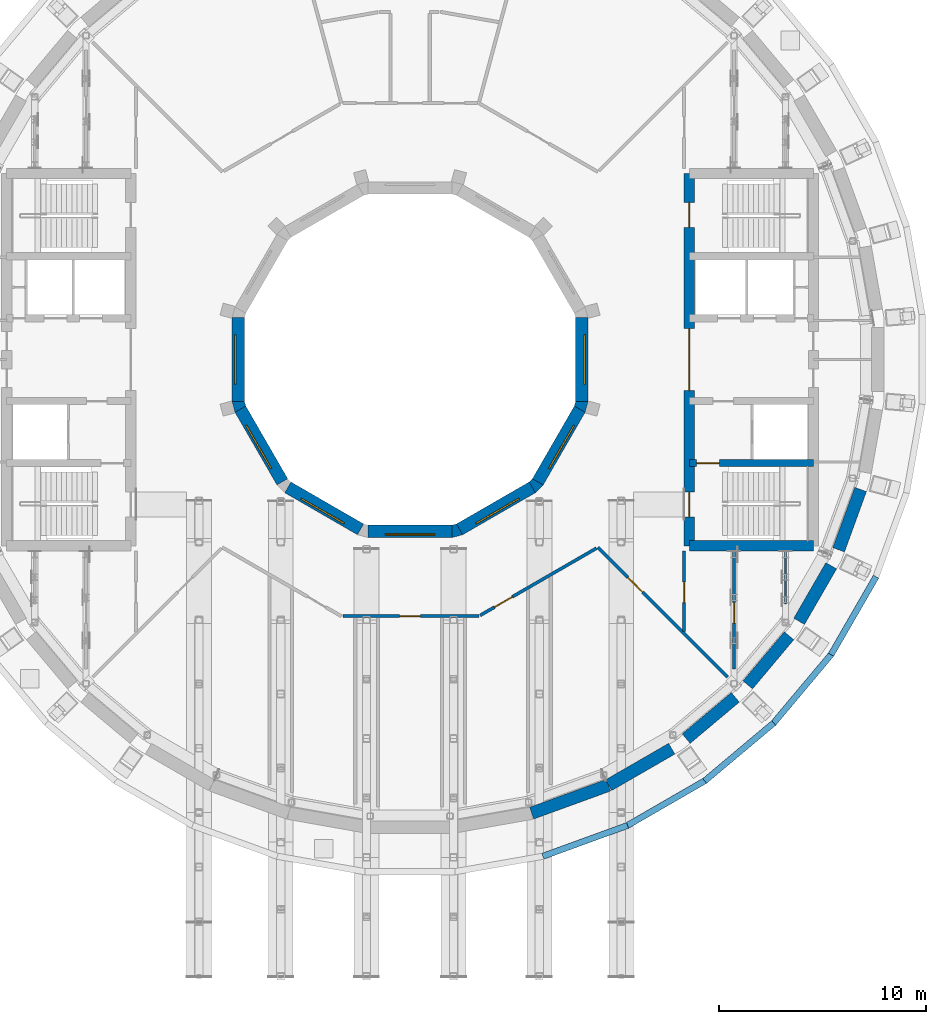
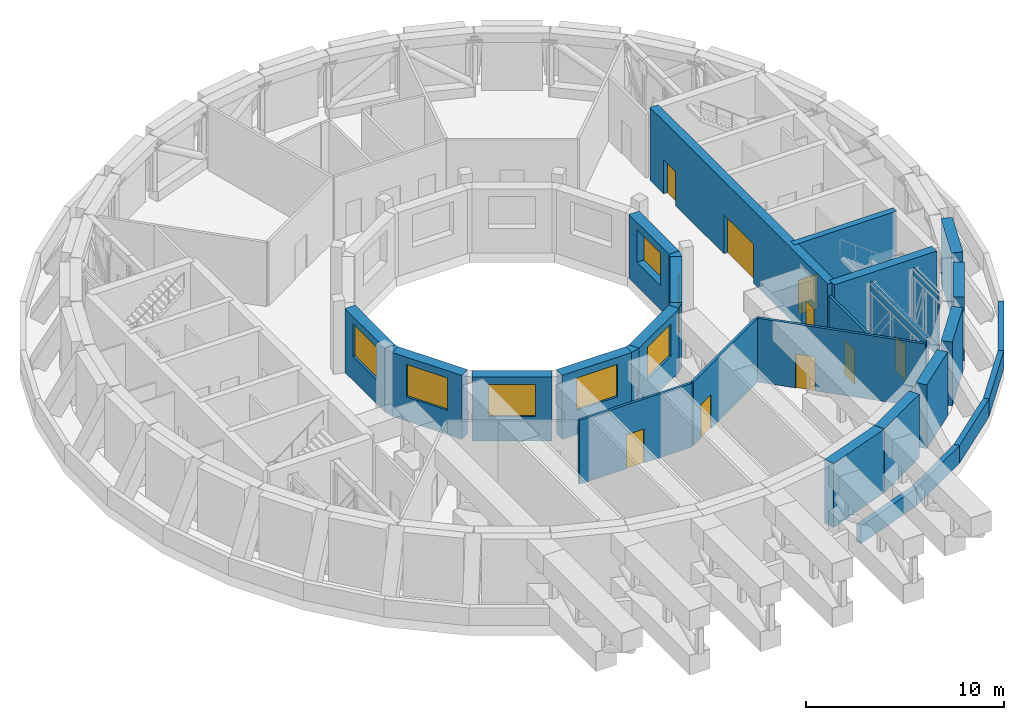
# One storey, part 12 of 20: 31 walls, 9 doors, 7 windows, 16 openings.
"""IFC4 building model written with IfcOpenShell, lengths in metres."""

from ifc_helpers import new_model, si_unit, direction, frame, frame_2d, origin, place, context, subcontext, project, spatial, polyline, rectangle, outline, extrude, material, layer, layer_set, type_object, element, fill, save


model = new_model("IFC4")

# Units and contexts
model_context = context("Model", 3, precision=1e-05, world=origin(), true_north=direction((0.0, 1.0)))
body_context = subcontext(model_context, "Body", "Model", "MODEL_VIEW")
ifc_project = project(units=[si_unit("LENGTHUNIT", "METRE"), si_unit("AREAUNIT", "SQUARE_METRE"), si_unit("VOLUMEUNIT", "CUBIC_METRE"), si_unit("PLANEANGLEUNIT", "RADIAN"), si_unit("MASSUNIT", "GRAM", prefix="KILO")], contexts=[model_context])

# Site, building, storey
site_placement = place(None, origin())
site = spatial("IfcSite", under=ifc_project, at=site_placement, CompositionType="ELEMENT")
building_placement = place(site_placement, origin())
building = spatial("IfcBuilding", under=site, at=building_placement, Name="Saqina Gate Tower", CompositionType="ELEMENT")
storey_placement = place(building_placement, frame((0.0, 0.0, 220.199951171875)))
storey = spatial("IfcBuildingStorey", under=building, at=storey_placement, Name="L63", CompositionType="ELEMENT", Elevation=220.199951171875)

# Walls
ifc_material_1 = material(Name="Brick masonry (buff)", Category="masonry")
ifc_layer_1 = layer(ifc_material_1, 0.60009765625)
ifc_layer_set_1 = layer_set([ifc_layer_1], Name="FW-BRICK-BUFF")
wall_type_1 = type_object("IfcWallType", Name="FW-BRICK-BUFF", PredefinedType="SOLIDWALL", material=ifc_layer_set_1)
wall_1_placement = place(storey_placement, frame((5.87841796875, -21.924072265625, 0.0), z_axis=(0.0, 0.0, 1.0), x_axis=(0.939699526391, 0.342001169736, 0.0)))
element("IfcWall", 1, at=wall_1_placement, inside=storey, type_object=wall_type_1, Name="Facade wall L63 facet 29", PredefinedType="SOLIDWALL", context=body_context, shape_type="SweptSolid", body=[
    extrude(rectangle(XDim=3.948974609375, YDim=0.60009765625, at=frame_2d((1.974609375, 0.0))), origin(), (0.0, 0.0, 1.0), 3.949951171875),
])
wall_2_placement = place(storey_placement, frame((9.59619140625, -20.5703125, 0.0), z_axis=(0.0, 0.0, 1.0), x_axis=(0.86601836006, 0.500012199891, 0.0)))
element("IfcWall", 2, at=wall_2_placement, inside=storey, type_object=wall_type_1, Name="Facade wall L63 facet 30", PredefinedType="SOLIDWALL", context=body_context, shape_type="SweptSolid", body=[
    extrude(rectangle(XDim=3.525390625, YDim=0.60009765625, at=frame_2d((1.7626953125, 0.0))), origin(), (0.0, 0.0, 1.0), 3.949951171875),
])
for number, where, z_axis, x_axis, name in (
    (3, (13.34716796875, -18.31884765625, 0.0), (0.0, 0.0, 1.0), (0.766055239099, 0.642774743319, 0.0), "Facade wall L63 facet 31"),
    (4, (16.325439453125, -15.722900390625, 0.0), (0.0, 0.0, 1.0), (0.642774743319, 0.766055239099, 0.0), "Facade wall L63 facet 32"),
    (5, (18.8076171875, -12.649169921875, 0.0), (0.0, 0.0, 1.0), (0.499974592989, 0.866040072032, 0.0), "Facade wall L63 facet 33"),
):
    element("IfcWall", number, at=place(storey_placement, frame(where, z_axis=z_axis, x_axis=x_axis)), inside=storey, type_object=wall_type_1, Name=name, PredefinedType="SOLIDWALL", context=body_context, shape_type="SweptSolid", body=[
        extrude(rectangle(XDim=3.101318359375, YDim=0.60009765625, at=frame_2d((1.55078125, 0.0))), origin(), (0.0, 0.0, 1.0), 3.949951171875),
    ])
ifc_material_2 = material(Name="Glazed ceramic tile", Category="ceramic")
ifc_layer_2 = layer(ifc_material_2, 0.60009765625)
ifc_layer_set_2 = layer_set([ifc_layer_2], Name="FW-TILE")
wall_type_2 = type_object("IfcWallType", Name="FW-TILE", PredefinedType="SOLIDWALL", material=ifc_layer_set_2)
wall_3_placement = place(storey_placement, frame((20.718505859375, -9.19091796875, 0.0), z_axis=(0.0, 0.0, 1.0), x_axis=(0.341995900855, 0.93970144397, 0.0)))
element("IfcWall", 6, at=wall_3_placement, inside=storey, type_object=wall_type_2, Name="Facade wall L63 facet 34", PredefinedType="SOLIDWALL", context=body_context, shape_type="SweptSolid", body=[
    extrude(rectangle(XDim=3.10107421875, YDim=0.60009765625, at=frame_2d((1.550537109375, 0.0))), origin(), (0.0, 0.0, 1.0), 3.949951171875),
])

# Wall, opening, window
ifc_material_3 = material(Name="Glazed ceramic tile", Category="ceramic")
ifc_layer_3 = layer(ifc_material_3, 0.60009765625)
ifc_layer_set_3 = layer_set([ifc_layer_3], Name="IW-TILE")
wall_type_3 = type_object("IfcWallType", Name="IW-TILE", PredefinedType="SOLIDWALL", material=ifc_layer_set_3)
wall_4_placement = place(storey_placement, frame((-8.300048828125, 2.029296875, 0.0), z_axis=(0.0, 0.0, 1.0), x_axis=(0.0, -1.0, 0.0)))
wall_4 = element("IfcWall", 7, at=wall_4_placement, inside=storey, type_object=wall_type_3, Name="Well wall L63 facet 6", PredefinedType="SOLIDWALL", context=body_context, shape_type="SweptSolid", body=[
    extrude(rectangle(XDim=4.05859375, YDim=0.60009765625, at=frame_2d((2.029296875, 0.0))), origin(), (0.0, 0.0, 1.0), 3.949951171875),
])
opening_1_placement = place(wall_4_placement, frame((0.829345703125, 0.0, 1.5)))
opening_1 = element("IfcOpeningElement", 8, at=opening_1_placement, cuts=wall_4, Name="Opening L63-W06", PredefinedType="OPENING", context=body_context, shape_type="SweptSolid", body=[
    extrude(rectangle(XDim=2.39990234375, YDim=2.0, at=frame_2d((1.199951171875, 1.0))), frame((0.0, 0.31201171875, 0.0), z_axis=(0.0, -1.0, 0.0), x_axis=(1.0, 0.0, 0.0)), (0.0, 0.0, 1.0), 0.6240234375),
])
ifc_material_4 = material(Name="Aluminium glazing", Category="aluminium")
window_type = type_object("IfcWindowType", Name="WN-P", PartitioningType="SINGLE_PANEL", PredefinedType="WINDOW", material=ifc_material_4)
window_1_placement = place(opening_1_placement, origin())
window_1 = element("IfcWindow", 9, at=window_1_placement, inside=storey, type_object=window_type, Name="Well window L63 facet 6", OverallHeight=2.0, OverallWidth=2.39990234375, PartitioningType="SINGLE_PANEL", PredefinedType="WINDOW", context=body_context, shape_type="SweptSolid", body=[
    extrude(rectangle(XDim=2.39990234375, YDim=2.0, at=frame_2d((1.199951171875, 1.0))), frame((0.0, -0.119873046875, 0.0), z_axis=(0.0, -1.0, 0.0), x_axis=(1.0, 0.0, 0.0)), (0.0, 0.0, 1.0), 0.06005859375),
])
fill(opening_1, window_1)

wall_5_placement = place(storey_placement, frame((-8.20263671875, -2.392578125, 0.0), z_axis=(0.0, 0.0, 1.0), x_axis=(0.499994954979, -0.866028316509, 0.0)))
wall_5 = element("IfcWall", 10, at=wall_5_placement, inside=storey, type_object=wall_type_3, Name="Well wall L63 facet 7", PredefinedType="SOLIDWALL", context=body_context, shape_type="SweptSolid", body=[
    extrude(rectangle(XDim=4.05859375, YDim=0.60009765625, at=frame_2d((2.029296875, 0.0))), origin(), (0.0, 0.0, 1.0), 3.949951171875),
])
opening_2_placement = place(wall_5_placement, frame((0.829345703125, 0.0, 1.5)))
opening_2 = element("IfcOpeningElement", 11, at=opening_2_placement, cuts=wall_5, Name="Opening L63-W07", PredefinedType="OPENING", context=body_context, shape_type="SweptSolid", body=[
    extrude(rectangle(XDim=2.39990234375, YDim=2.0, at=frame_2d((1.199951171875, 1.0))), frame((0.0, 0.31201171875, 0.0), z_axis=(0.0, -1.0, 0.0), x_axis=(1.0, 0.0, 0.0)), (0.0, 0.0, 1.0), 0.6240234375),
])
window_2_placement = place(opening_2_placement, origin())
window_2 = element("IfcWindow", 12, at=window_2_placement, inside=storey, type_object=window_type, Name="Well window L63 facet 7", OverallHeight=2.0, OverallWidth=2.39990234375, PartitioningType="SINGLE_PANEL", PredefinedType="WINDOW", context=body_context, shape_type="SweptSolid", body=[
    extrude(rectangle(XDim=2.39990234375, YDim=2.0, at=frame_2d((1.199951171875, 1.0))), frame((0.0, -0.119873046875, 0.0), z_axis=(0.0, -1.0, 0.0), x_axis=(1.0, 0.0, 0.0)), (0.0, 0.0, 1.0), 0.06005859375),
])
fill(opening_2, window_2)

wall_6_placement = place(storey_placement, frame((-5.907470703125, -6.17333984375, 0.0), z_axis=(0.0, 0.0, 1.0), x_axis=(0.866028316509, -0.499994954979, 0.0)))
wall_6 = element("IfcWall", 13, at=wall_6_placement, inside=storey, type_object=wall_type_3, Name="Well wall L63 facet 8", PredefinedType="SOLIDWALL", context=body_context, shape_type="SweptSolid", body=[
    extrude(rectangle(XDim=4.05859375, YDim=0.60009765625, at=frame_2d((2.029296875, 0.0))), origin(), (0.0, 0.0, 1.0), 3.949951171875),
])
opening_3_placement = place(wall_6_placement, frame((0.829345703125, 0.0, 1.5)))
opening_3 = element("IfcOpeningElement", 14, at=opening_3_placement, cuts=wall_6, Name="Opening L63-W08", PredefinedType="OPENING", context=body_context, shape_type="SweptSolid", body=[
    extrude(rectangle(XDim=2.39990234375, YDim=2.0, at=frame_2d((1.199951171875, 1.0))), frame((0.0, 0.31201171875, 0.0), z_axis=(0.0, -1.0, 0.0), x_axis=(1.0, 0.0, 0.0)), (0.0, 0.0, 1.0), 0.6240234375),
])
window_3_placement = place(opening_3_placement, origin())
window_3 = element("IfcWindow", 15, at=window_3_placement, inside=storey, type_object=window_type, Name="Well window L63 facet 8", OverallHeight=2.0, OverallWidth=2.39990234375, PartitioningType="SINGLE_PANEL", PredefinedType="WINDOW", context=body_context, shape_type="SweptSolid", body=[
    extrude(rectangle(XDim=2.39990234375, YDim=2.0, at=frame_2d((1.199951171875, 1.0))), frame((0.0, -0.119873046875, 0.0), z_axis=(0.0, -1.0, 0.0), x_axis=(1.0, 0.0, 0.0)), (0.0, 0.0, 1.0), 0.06005859375),
])
fill(opening_3, window_3)

wall_7_placement = place(storey_placement, frame((-2.029296875, -8.300048828125, 0.0), z_axis=(0.0, 0.0, 1.0), x_axis=(1.0, 0.0, 0.0)))
wall_7 = element("IfcWall", 16, at=wall_7_placement, inside=storey, type_object=wall_type_3, Name="Well wall L63 facet 9", PredefinedType="SOLIDWALL", context=body_context, shape_type="SweptSolid", body=[
    extrude(rectangle(XDim=4.05859375, YDim=0.60009765625, at=frame_2d((2.029296875, 0.0))), origin(), (0.0, 0.0, 1.0), 3.949951171875),
])
opening_4_placement = place(wall_7_placement, frame((0.829345703125, 0.0, 1.5)))
opening_4 = element("IfcOpeningElement", 17, at=opening_4_placement, cuts=wall_7, Name="Opening L63-W09", PredefinedType="OPENING", context=body_context, shape_type="SweptSolid", body=[
    extrude(rectangle(XDim=2.39990234375, YDim=2.0, at=frame_2d((1.199951171875, 1.0))), frame((0.0, 0.31201171875, 0.0), z_axis=(0.0, -1.0, 0.0), x_axis=(1.0, 0.0, 0.0)), (0.0, 0.0, 1.0), 0.6240234375),
])
window_4_placement = place(opening_4_placement, origin())
window_4 = element("IfcWindow", 18, at=window_4_placement, inside=storey, type_object=window_type, Name="Well window L63 facet 9", OverallHeight=2.0, OverallWidth=2.39990234375, PartitioningType="SINGLE_PANEL", PredefinedType="WINDOW", context=body_context, shape_type="SweptSolid", body=[
    extrude(rectangle(XDim=2.39990234375, YDim=2.0, at=frame_2d((1.199951171875, 1.0))), frame((0.0, -0.119873046875, 0.0), z_axis=(0.0, -1.0, 0.0), x_axis=(1.0, 0.0, 0.0)), (0.0, 0.0, 1.0), 0.06005859375),
])
fill(opening_4, window_4)

wall_8_placement = place(storey_placement, frame((2.392578125, -8.20263671875, 0.0), z_axis=(0.0, 0.0, 1.0), x_axis=(0.866028316509, 0.499994954979, 0.0)))
wall_8 = element("IfcWall", 19, at=wall_8_placement, inside=storey, type_object=wall_type_3, Name="Well wall L63 facet 10", PredefinedType="SOLIDWALL", context=body_context, shape_type="SweptSolid", body=[
    extrude(rectangle(XDim=4.05859375, YDim=0.60009765625, at=frame_2d((2.029296875, 0.0))), origin(), (0.0, 0.0, 1.0), 3.949951171875),
])
opening_5_placement = place(wall_8_placement, frame((0.829345703125, 0.0, 1.5)))
opening_5 = element("IfcOpeningElement", 20, at=opening_5_placement, cuts=wall_8, Name="Opening L63-W10", PredefinedType="OPENING", context=body_context, shape_type="SweptSolid", body=[
    extrude(rectangle(XDim=2.39990234375, YDim=2.0, at=frame_2d((1.199951171875, 1.0))), frame((0.0, 0.31201171875, 0.0), z_axis=(0.0, -1.0, 0.0), x_axis=(1.0, 0.0, 0.0)), (0.0, 0.0, 1.0), 0.6240234375),
])
window_5_placement = place(opening_5_placement, origin())
window_5 = element("IfcWindow", 21, at=window_5_placement, inside=storey, type_object=window_type, Name="Well window L63 facet 10", OverallHeight=2.0, OverallWidth=2.39990234375, PartitioningType="SINGLE_PANEL", PredefinedType="WINDOW", context=body_context, shape_type="SweptSolid", body=[
    extrude(rectangle(XDim=2.39990234375, YDim=2.0, at=frame_2d((1.199951171875, 1.0))), frame((0.0, -0.119873046875, 0.0), z_axis=(0.0, -1.0, 0.0), x_axis=(1.0, 0.0, 0.0)), (0.0, 0.0, 1.0), 0.06005859375),
])
fill(opening_5, window_5)

wall_9_placement = place(storey_placement, frame((6.17333984375, -5.907470703125, 0.0), z_axis=(0.0, 0.0, 1.0), x_axis=(0.499994954979, 0.866028316509, 0.0)))
wall_9 = element("IfcWall", 22, at=wall_9_placement, inside=storey, type_object=wall_type_3, Name="Well wall L63 facet 11", PredefinedType="SOLIDWALL", context=body_context, shape_type="SweptSolid", body=[
    extrude(rectangle(XDim=4.05859375, YDim=0.60009765625, at=frame_2d((2.029296875, 0.0))), origin(), (0.0, 0.0, 1.0), 3.949951171875),
])
opening_6_placement = place(wall_9_placement, frame((0.829345703125, 0.0, 1.5)))
opening_6 = element("IfcOpeningElement", 23, at=opening_6_placement, cuts=wall_9, Name="Opening L63-W11", PredefinedType="OPENING", context=body_context, shape_type="SweptSolid", body=[
    extrude(rectangle(XDim=2.39990234375, YDim=2.0, at=frame_2d((1.199951171875, 1.0))), frame((0.0, 0.31201171875, 0.0), z_axis=(0.0, -1.0, 0.0), x_axis=(1.0, 0.0, 0.0)), (0.0, 0.0, 1.0), 0.6240234375),
])
window_6_placement = place(opening_6_placement, origin())
window_6 = element("IfcWindow", 24, at=window_6_placement, inside=storey, type_object=window_type, Name="Well window L63 facet 11", OverallHeight=2.0, OverallWidth=2.39990234375, PartitioningType="SINGLE_PANEL", PredefinedType="WINDOW", context=body_context, shape_type="SweptSolid", body=[
    extrude(rectangle(XDim=2.39990234375, YDim=2.0, at=frame_2d((1.199951171875, 1.0))), frame((0.0, -0.119873046875, 0.0), z_axis=(0.0, -1.0, 0.0), x_axis=(1.0, 0.0, 0.0)), (0.0, 0.0, 1.0), 0.06005859375),
])
fill(opening_6, window_6)

wall_10_placement = place(storey_placement, frame((8.300048828125, -2.029296875, 0.0), z_axis=(0.0, 0.0, 1.0), x_axis=(0.0, 1.0, 0.0)))
wall_10 = element("IfcWall", 25, at=wall_10_placement, inside=storey, type_object=wall_type_3, Name="Well wall L63 facet 12", PredefinedType="SOLIDWALL", context=body_context, shape_type="SweptSolid", body=[
    extrude(rectangle(XDim=4.05859375, YDim=0.60009765625, at=frame_2d((2.029296875, 0.0))), origin(), (0.0, 0.0, 1.0), 3.949951171875),
])
opening_7_placement = place(wall_10_placement, frame((0.829345703125, 0.0, 1.5)))
opening_7 = element("IfcOpeningElement", 26, at=opening_7_placement, cuts=wall_10, Name="Opening L63-W12", PredefinedType="OPENING", context=body_context, shape_type="SweptSolid", body=[
    extrude(rectangle(XDim=2.39990234375, YDim=2.0, at=frame_2d((1.199951171875, 1.0))), frame((0.0, 0.31201171875, 0.0), z_axis=(0.0, -1.0, 0.0), x_axis=(1.0, 0.0, 0.0)), (0.0, 0.0, 1.0), 0.6240234375),
])
window_7_placement = place(opening_7_placement, origin())
window_7 = element("IfcWindow", 27, at=window_7_placement, inside=storey, type_object=window_type, Name="Well window L63 facet 12", OverallHeight=2.0, OverallWidth=2.39990234375, PartitioningType="SINGLE_PANEL", PredefinedType="WINDOW", context=body_context, shape_type="SweptSolid", body=[
    extrude(rectangle(XDim=2.39990234375, YDim=2.0, at=frame_2d((1.199951171875, 1.0))), frame((0.0, -0.119873046875, 0.0), z_axis=(0.0, -1.0, 0.0), x_axis=(1.0, 0.0, 0.0)), (0.0, 0.0, 1.0), 0.06005859375),
])
fill(opening_7, window_7)

# Walls
ifc_material_5 = material(Name="Brick masonry (buff)", Category="masonry")
ifc_layer_4 = layer(ifc_material_5, 0.300048828125)
ifc_layer_set_4 = layer_set([ifc_layer_4], Name="PA-ROOF")
wall_type_4 = type_object("IfcWallType", Name="PA-ROOF", PredefinedType="PARAPET", material=ifc_layer_set_4)
wall_11_placement = place(storey_placement, frame((6.419189453125, -24.007080078125, 0.0), z_axis=(0.0, 0.0, 1.0), x_axis=(0.93969032934, 0.342026438957, 0.0)))
element("IfcWall", 28, at=wall_11_placement, inside=storey, type_object=wall_type_4, Name="Parapet L63 edge 29", PredefinedType="PARAPET", context=body_context, shape_type="SweptSolid", body=[
    extrude(rectangle(XDim=4.357666015625, YDim=0.300048828125, at=frame_2d((2.1787109375, 0.0))), origin(), (0.0, 0.0, 1.0), 1.10009765625),
])
for number, where, z_axis, x_axis, name in (
    (29, (10.490478515625, -22.52783203125, 0.0), (0.0, 0.0, 1.0), (0.866017651966, 0.500013426303, 0.0), "Parapet L63 edge 30"),
    (30, (14.242919921875, -20.364013671875, 0.0), (0.0, 0.0, 1.0), (0.76604025998, 0.642792594925, 0.0), "Parapet L63 edge 31"),
    (31, (17.562744140625, -17.581298828125, 0.0), (0.0, 0.0, 1.0), (0.642792594925, 0.76604025998, 0.0), "Parapet L63 edge 32"),
    (32, (20.348876953125, -14.264404296875, 0.0), (0.0, 0.0, 1.0), (0.500013426303, 0.866017651966, 0.0), "Parapet L63 edge 33"),
):
    element("IfcWall", number, at=place(storey_placement, frame(where, z_axis=z_axis, x_axis=x_axis)), inside=storey, type_object=wall_type_4, Name=name, PredefinedType="PARAPET", context=body_context, shape_type="SweptSolid", body=[
        extrude(rectangle(XDim=4.35791015625, YDim=0.300048828125, at=frame_2d((2.178955078125, 0.0))), origin(), (0.0, 0.0, 1.0), 1.10009765625),
    ])
ifc_material_6 = material(Name="Gypsum board on steel studs, 100 mm", Category="steel")
ifc_layer_5 = layer(ifc_material_6, 0.10009765625)
ifc_layer_set_5 = layer_set([ifc_layer_5], Name="SPECIAL PARTITION 100")
wall_type_5 = type_object("IfcWallType", Name="SPECIAL PARTITION 100", PredefinedType="PARTITIONING", material=ifc_layer_set_5)
wall_12_placement = place(storey_placement, frame((18.14404296875, -11.80908203125, 0.0), z_axis=(0.0, 0.0, 1.0), x_axis=(0.0, 1.0, 0.0)))
element("IfcWall", 33, at=wall_12_placement, inside=storey, type_object=wall_type_5, Name="PARTITION 017", PredefinedType="PARTITIONING", context=body_context, shape_type="SweptSolid", body=[
    extrude(rectangle(XDim=2.55908203125, YDim=0.10009765625, at=frame_2d((1.279541015625, 0.0))), origin(), (0.0, 0.0, 1.0), 3.949951171875),
])

# Wall, opening, door
ifc_material_7 = material(Name="Masonry block and plaster, 150 mm, fire rated", Category="masonry")
ifc_layer_6 = layer(ifc_material_7, 0.14990234375)
ifc_layer_set_6 = layer_set([ifc_layer_6], Name="SPECIAL PARTITION EI 60 150")
wall_type_6 = type_object("IfcWallType", Name="SPECIAL PARTITION EI 60 150", PredefinedType="PARTITIONING", material=ifc_layer_set_6)
wall_13_placement = place(storey_placement, frame((9.076904296875, -9.076904296875, 0.0), z_axis=(0.0, 0.0, 1.0), x_axis=(0.707106781187, -0.707106781187, 0.0)))
wall_13 = element("IfcWall", 34, at=wall_13_placement, inside=storey, type_object=wall_type_6, Name="PARTITION 003", PredefinedType="PARTITIONING", context=body_context, shape_type="SweptSolid", body=[
    extrude(rectangle(XDim=8.863037109375, YDim=0.14990234375, at=frame_2d((4.431640625, 0.0))), origin(), (0.0, 0.0, 1.0), 3.949951171875),
])
opening_8_placement = place(wall_13_placement, frame((2.052978515625, 0.0, 0.0)))
opening_8 = element("IfcOpeningElement", 35, at=opening_8_placement, cuts=wall_13, Name="Opening L63-D16", PredefinedType="OPENING", context=body_context, shape_type="SweptSolid", body=[
    extrude(rectangle(XDim=1.0, YDim=2.10009765625, at=frame_2d((0.5, 1.050048828125))), frame((0.0, 0.0869140625, 0.0), z_axis=(0.0, -1.0, 0.0), x_axis=(1.0, 0.0, 0.0)), (0.0, 0.0, 1.0), 0.173828125),
])
ifc_material_8 = material(Name="Steel-framed fire door leaf, EI 60", Category="steel")
door_type_1 = type_object("IfcDoorType", Name="SPECIAL DOOR 1000 FIRE EI 60", OperationType="SINGLE_SWING_LEFT", PredefinedType="DOOR", material=ifc_material_8)
door_1_placement = place(opening_8_placement, frame((1.0, 0.0, 0.0), z_axis=(0.0, 0.0, 1.0), x_axis=(-1.0, 0.0, 0.0)))
door_1 = element("IfcDoor", 36, at=door_1_placement, inside=storey, type_object=door_type_1, Name="DOOR L63-D16", OperationType="SINGLE_SWING_RIGHT", OverallHeight=2.10009765625, OverallWidth=1.0, PredefinedType="DOOR", context=body_context, shape_type="SweptSolid", body=[
    extrude(rectangle(XDim=1.0, YDim=2.10009765625, at=frame_2d((0.5, 1.050048828125))), frame((0.0, 0.02490234375, 0.0), z_axis=(0.0, -1.0, 0.0), x_axis=(1.0, 0.0, 0.0)), (0.0, 0.0, 1.0), 0.050048828125),
])
fill(opening_8, door_1)

wall_14_placement = place(storey_placement, frame((-3.248046875, -12.39990234375, 0.0), z_axis=(0.0, 0.0, 1.0), x_axis=(1.0, 0.0, 0.0)))
wall_14 = element("IfcWall", 37, at=wall_14_placement, inside=storey, type_object=wall_type_6, Name="PARTITION 007", PredefinedType="PARTITIONING", context=body_context, shape_type="SweptSolid", body=[
    extrude(rectangle(XDim=6.571044921875, YDim=0.14990234375, at=frame_2d((3.28564453125, 0.0))), origin(), (0.0, 0.0, 1.0), 3.949951171875),
])
opening_9_placement = place(wall_14_placement, frame((2.748046875, 0.0, 0.0)))
opening_9 = element("IfcOpeningElement", 38, at=opening_9_placement, cuts=wall_14, Name="Opening L63-D14", PredefinedType="OPENING", context=body_context, shape_type="SweptSolid", body=[
    extrude(rectangle(XDim=1.0, YDim=2.10009765625, at=frame_2d((0.5, 1.050048828125))), frame((0.0, 0.0869140625, 0.0), z_axis=(0.0, -1.0, 0.0), x_axis=(1.0, 0.0, 0.0)), (0.0, 0.0, 1.0), 0.173828125),
])
door_2_placement = place(opening_9_placement, frame((1.0, 0.0, 0.0), z_axis=(0.0, 0.0, 1.0), x_axis=(-1.0, 0.0, 0.0)))
door_2 = element("IfcDoor", 39, at=door_2_placement, inside=storey, type_object=door_type_1, Name="DOOR L63-D14", OperationType="SINGLE_SWING_RIGHT", OverallHeight=2.10009765625, OverallWidth=1.0, PredefinedType="DOOR", context=body_context, shape_type="SweptSolid", body=[
    extrude(rectangle(XDim=1.0, YDim=2.10009765625, at=frame_2d((0.5, 1.050048828125))), frame((0.0, 0.02490234375, 0.0), z_axis=(0.0, -1.0, 0.0), x_axis=(1.0, 0.0, 0.0)), (0.0, 0.0, 1.0), 0.050048828125),
])
fill(opening_9, door_2)

wall_15_placement = place(storey_placement, frame((3.387939453125, -12.362548828125, 0.0), z_axis=(0.0, 0.0, 1.0), x_axis=(0.865967095912, 0.5001009786, 0.0)))
wall_15 = element("IfcWall", 40, at=wall_15_placement, inside=storey, type_object=wall_type_6, Name="PARTITION 012", PredefinedType="PARTITIONING", context=body_context, shape_type="SweptSolid", body=[
    extrude(rectangle(XDim=6.494873046875, YDim=0.14990234375, at=frame_2d((3.24755859375, 0.0))), origin(), (0.0, 0.0, 1.0), 3.949951171875),
])
opening_10_placement = place(wall_15_placement, frame((0.797607421875, 0.0, 0.0)))
opening_10 = element("IfcOpeningElement", 41, at=opening_10_placement, cuts=wall_15, Name="Opening L63-D15", PredefinedType="OPENING", context=body_context, shape_type="SweptSolid", body=[
    extrude(rectangle(XDim=1.0, YDim=2.10009765625, at=frame_2d((0.5, 1.050048828125))), frame((0.0, 0.0869140625, 0.0), z_axis=(0.0, -1.0, 0.0), x_axis=(1.0, 0.0, 0.0)), (0.0, 0.0, 1.0), 0.173828125),
])
door_3_placement = place(opening_10_placement, frame((1.0, 0.0, 0.0), z_axis=(0.0, 0.0, 1.0), x_axis=(-1.0, 0.0, 0.0)))
door_3 = element("IfcDoor", 42, at=door_3_placement, inside=storey, type_object=door_type_1, Name="DOOR L63-D15", OperationType="SINGLE_SWING_LEFT", OverallHeight=2.10009765625, OverallWidth=1.0, PredefinedType="DOOR", context=body_context, shape_type="SweptSolid", body=[
    extrude(rectangle(XDim=1.0, YDim=2.10009765625, at=frame_2d((0.5, 1.050048828125))), frame((0.0, 0.02490234375, 0.0), z_axis=(0.0, -1.0, 0.0), x_axis=(1.0, 0.0, 0.0)), (0.0, 0.0, 1.0), 0.050048828125),
])
fill(opening_10, door_3)

wall_16_placement = place(storey_placement, frame((15.662109375, -14.965087890625, 0.0), z_axis=(0.0, 0.0, 1.0), x_axis=(0.0, 1.0, 0.0)))
wall_16 = element("IfcWall", 43, at=wall_16_placement, inside=storey, type_object=wall_type_6, Name="PARTITION 019", PredefinedType="PARTITIONING", context=body_context, shape_type="SweptSolid", body=[
    extrude(rectangle(XDim=5.715087890625, YDim=0.14990234375, at=frame_2d((2.857421875, 0.0))), origin(), (0.0, 0.0, 1.0), 3.949951171875),
])
opening_11_placement = place(wall_16_placement, frame((2.22509765625, 0.0, 0.0)))
opening_11 = element("IfcOpeningElement", 44, at=opening_11_placement, cuts=wall_16, Name="Opening L63-D18", PredefinedType="OPENING", context=body_context, shape_type="SweptSolid", body=[
    extrude(rectangle(XDim=1.0, YDim=2.10009765625, at=frame_2d((0.5, 1.050048828125))), frame((0.0, 0.0869140625, 0.0), z_axis=(0.0, -1.0, 0.0), x_axis=(1.0, 0.0, 0.0)), (0.0, 0.0, 1.0), 0.173828125),
])
door_4_placement = place(opening_11_placement, origin())
door_4 = element("IfcDoor", 45, at=door_4_placement, inside=storey, type_object=door_type_1, Name="DOOR L63-D18", OperationType="SINGLE_SWING_LEFT", OverallHeight=2.10009765625, OverallWidth=1.0, PredefinedType="DOOR", context=body_context, shape_type="SweptSolid", body=[
    extrude(rectangle(XDim=1.0, YDim=2.10009765625, at=frame_2d((0.5, 1.050048828125))), frame((0.0, 0.02490234375, 0.0), z_axis=(0.0, -1.0, 0.0), x_axis=(1.0, 0.0, 0.0)), (0.0, 0.0, 1.0), 0.050048828125),
])
fill(opening_11, door_4)

wall_17_placement = place(storey_placement, frame((13.25, -13.14501953125, 0.0), z_axis=(0.0, 0.0, 1.0), x_axis=(0.0, 1.0, 0.0)))
wall_17 = element("IfcWall", 46, at=wall_17_placement, inside=storey, type_object=wall_type_6, Name="PARTITION 021", PredefinedType="PARTITIONING", context=body_context, shape_type="SweptSolid", body=[
    extrude(rectangle(XDim=3.89501953125, YDim=0.14990234375, at=frame_2d((1.947509765625, 0.0))), origin(), (0.0, 0.0, 1.0), 3.949951171875),
])
opening_12_placement = place(wall_17_placement, frame((1.39501953125, 0.0, 0.0)))
opening_12 = element("IfcOpeningElement", 47, at=opening_12_placement, cuts=wall_17, Name="Opening L63-D17", PredefinedType="OPENING", context=body_context, shape_type="SweptSolid", body=[
    extrude(rectangle(XDim=1.0, YDim=2.10009765625, at=frame_2d((0.5, 1.050048828125))), frame((0.0, 0.0869140625, 0.0), z_axis=(0.0, -1.0, 0.0), x_axis=(1.0, 0.0, 0.0)), (0.0, 0.0, 1.0), 0.173828125),
])
door_5_placement = place(opening_12_placement, frame((1.0, 0.0, 0.0), z_axis=(0.0, 0.0, 1.0), x_axis=(-1.0, 0.0, 0.0)))
door_5 = element("IfcDoor", 48, at=door_5_placement, inside=storey, type_object=door_type_1, Name="DOOR L63-D17", OperationType="SINGLE_SWING_RIGHT", OverallHeight=2.10009765625, OverallWidth=1.0, PredefinedType="DOOR", context=body_context, shape_type="SweptSolid", body=[
    extrude(rectangle(XDim=1.0, YDim=2.10009765625, at=frame_2d((0.5, 1.050048828125))), frame((0.0, 0.02490234375, 0.0), z_axis=(0.0, -1.0, 0.0), x_axis=(1.0, 0.0, 0.0)), (0.0, 0.0, 1.0), 0.050048828125),
])
fill(opening_12, door_5)

ifc_material_9 = material(Name="Concrete C60/75", Category="concrete")
ifc_layer_7 = layer(ifc_material_9, 0.35009765625)
ifc_layer_set_7 = layer_set([ifc_layer_7], Name="Concrete C60/75")
wall_type_7 = type_object("IfcWallType", Name="STR-CORE WALL-D-I", PredefinedType="SHEAR", material=ifc_layer_set_7)
wall_18_placement = place(storey_placement, frame((13.5, -5.0, 0.0), z_axis=(0.0, 0.0, 1.0), x_axis=(1.0, 0.0, 0.0)))
wall_18 = element("IfcWall", 49, at=wall_18_placement, inside=storey, type_object=wall_type_7, Name="CORE WALL L63 E-X2", PredefinedType="SHEAR", context=body_context, shape_type="SweptSolid", body=[
    extrude(rectangle(XDim=6.0, YDim=0.35009765625, at=frame_2d((3.0, 0.0))), origin(), (0.0, 0.0, 1.0), 4.5),
])
opening_13_placement = place(wall_18_placement, frame((0.35009765625, 0.0, 0.0)))
opening_13 = element("IfcOpeningElement", 50, at=opening_13_placement, cuts=wall_18, Name="Opening L63-D96", PredefinedType="OPENING", context=body_context, shape_type="SweptSolid", body=[
    extrude(rectangle(XDim=1.10009765625, YDim=2.10009765625, at=frame_2d((0.550048828125, 1.050048828125))), frame((0.0, 0.18701171875, 0.0), z_axis=(0.0, -1.0, 0.0), x_axis=(1.0, 0.0, 0.0)), (0.0, 0.0, 1.0), 0.3740234375),
])
ifc_material_10 = material(Name="Steel", Category="steel")
door_type_2 = type_object("IfcDoorType", Name="FIRE LOBBY DOOR EI 60 WIDE", OperationType="SINGLE_SWING_LEFT", PredefinedType="DOOR", material=ifc_material_10)
door_6_placement = place(opening_13_placement, frame((1.10009765625, 0.0, 0.0), z_axis=(0.0, 0.0, 1.0), x_axis=(-1.0, 0.0, 0.0)))
door_6 = element("IfcDoor", 51, at=door_6_placement, inside=storey, type_object=door_type_2, Name="L63-CD-E07", OperationType="SINGLE_SWING_RIGHT", OverallHeight=2.10009765625, OverallWidth=1.10009765625, PredefinedType="DOOR", context=body_context, shape_type="SweptSolid", body=[
    extrude(rectangle(XDim=1.10009765625, YDim=2.10009765625, at=frame_2d((0.550048828125, 1.050048828125))), frame((0.0, 0.02490234375, 0.0), z_axis=(0.0, -1.0, 0.0), x_axis=(1.0, 0.0, 0.0)), (0.0, 0.0, 1.0), 0.050048828125),
])
fill(opening_13, door_6)

# Wall, openings, doors
ifc_material_11 = material(Name="Concrete C60/75", Category="concrete")
ifc_layer_8 = layer(ifc_material_11, 0.5)
ifc_layer_set_8 = layer_set([ifc_layer_8], Name="Concrete C60/75")
wall_type_8 = type_object("IfcWallType", Name="STR-CORE WALL-D-O", PredefinedType="SHEAR", material=ifc_layer_set_8)
wall_19_placement = place(storey_placement, frame((13.5, -9.0, 0.0), z_axis=(0.0, 0.0, 1.0), x_axis=(0.0, 1.0, 0.0)))
wall_19 = element("IfcWall", 52, at=wall_19_placement, inside=storey, type_object=wall_type_8, Name="CORE WALL L63 E-W1", PredefinedType="SHEAR", context=body_context, shape_type="SweptSolid", body=[
    extrude(rectangle(XDim=18.0, YDim=0.5, at=frame_2d((9.0, 0.0))), origin(), (0.0, 0.0, 1.0), 4.5),
])
opening_14_placement = place(wall_19_placement, frame((15.39990234375, 0.0, 0.0)))
opening_14 = element("IfcOpeningElement", 53, at=opening_14_placement, cuts=wall_19, Name="Opening L63-D97", PredefinedType="OPENING", context=body_context, shape_type="SweptSolid", body=[
    extrude(rectangle(XDim=1.199951171875, YDim=2.10009765625, at=frame_2d((0.60009765625, 1.050048828125))), frame((0.0, 0.261962890625, 0.0), z_axis=(0.0, -1.0, 0.0), x_axis=(1.0, 0.0, 0.0)), (0.0, 0.0, 1.0), 0.52392578125),
])
opening_15_placement = place(wall_19_placement, frame((1.39990234375, 0.0, 0.0)))
opening_15 = element("IfcOpeningElement", 54, at=opening_15_placement, cuts=wall_19, Name="Opening L63-D98", PredefinedType="OPENING", context=body_context, shape_type="SweptSolid", body=[
    extrude(rectangle(XDim=1.199951171875, YDim=2.10009765625, at=frame_2d((0.60009765625, 1.050048828125))), frame((0.0, 0.261962890625, 0.0), z_axis=(0.0, -1.0, 0.0), x_axis=(1.0, 0.0, 0.0)), (0.0, 0.0, 1.0), 0.52392578125),
])
opening_16_placement = place(wall_19_placement, frame((7.5, 0.0, 0.0)))
opening_16 = element("IfcOpeningElement", 55, at=opening_16_placement, cuts=wall_19, Name="Opening L63-D99", PredefinedType="OPENING", context=body_context, shape_type="SweptSolid", body=[
    extrude(rectangle(XDim=3.0, YDim=2.39990234375, at=frame_2d((1.5, 1.199951171875))), frame((0.0, 0.261962890625, 0.0), z_axis=(0.0, -1.0, 0.0), x_axis=(1.0, 0.0, 0.0)), (0.0, 0.0, 1.0), 0.52392578125),
])
ifc_material_12 = material(Name="Steel", Category="steel")
door_type_3 = type_object("IfcDoorType", Name="FIRE DOOR EI 60", OperationType="SINGLE_SWING_LEFT", PredefinedType="DOOR", material=ifc_material_12)
door_7_placement = place(opening_14_placement, frame((1.199951171875, 0.0, 0.0), z_axis=(0.0, 0.0, 1.0), x_axis=(-1.0, 0.0, 0.0)))
door_7 = element("IfcDoor", 56, at=door_7_placement, inside=storey, type_object=door_type_3, Name="L63-CD-E08", OperationType="SINGLE_SWING_LEFT", OverallHeight=2.10009765625, OverallWidth=1.199951171875, PredefinedType="DOOR", context=body_context, shape_type="SweptSolid", body=[
    extrude(rectangle(XDim=1.199951171875, YDim=2.10009765625, at=frame_2d((0.60009765625, 1.050048828125))), frame((0.0, 0.02490234375, 0.0), z_axis=(0.0, -1.0, 0.0), x_axis=(1.0, 0.0, 0.0)), (0.0, 0.0, 1.0), 0.050048828125),
])
fill(opening_14, door_7)
door_8_placement = place(opening_15_placement, frame((1.199951171875, 0.0, 0.0), z_axis=(0.0, 0.0, 1.0), x_axis=(-1.0, 0.0, 0.0)))
door_8 = element("IfcDoor", 57, at=door_8_placement, inside=storey, type_object=door_type_3, Name="L63-CD-E09", OperationType="SINGLE_SWING_RIGHT", OverallHeight=2.10009765625, OverallWidth=1.199951171875, PredefinedType="DOOR", context=body_context, shape_type="SweptSolid", body=[
    extrude(rectangle(XDim=1.199951171875, YDim=2.10009765625, at=frame_2d((0.60009765625, 1.050048828125))), frame((0.0, 0.02490234375, 0.0), z_axis=(0.0, -1.0, 0.0), x_axis=(1.0, 0.0, 0.0)), (0.0, 0.0, 1.0), 0.050048828125),
])
fill(opening_15, door_8)
ifc_material_13 = material(Name="Steel and fire-resisting glass", Category="steel")
door_type_4 = type_object("IfcDoorType", Name="LOBBY SCREEN DOOR", OperationType="DOUBLE_DOOR_SLIDING", PredefinedType="DOOR", material=ifc_material_13)
door_9_placement = place(opening_16_placement, origin())
door_9 = element("IfcDoor", 58, at=door_9_placement, inside=storey, type_object=door_type_4, Name="L63-CD-E10", OperationType="DOUBLE_DOOR_SLIDING", OverallHeight=2.39990234375, OverallWidth=3.0, PredefinedType="DOOR", context=body_context, shape_type="SweptSolid", body=[
    extrude(rectangle(XDim=3.0, YDim=2.39990234375, at=frame_2d((1.5, 1.199951171875))), frame((0.0, 0.02490234375, 0.0), z_axis=(0.0, -1.0, 0.0), x_axis=(1.0, 0.0, 0.0)), (0.0, 0.0, 1.0), 0.050048828125),
])
fill(opening_16, door_9)

# Walls
wall_20_placement = place(storey_placement, frame((13.5, -9.0, 0.0), z_axis=(0.0, 0.0, 1.0), x_axis=(1.0, 0.0, 0.0)))
element("IfcWall", 59, at=wall_20_placement, inside=storey, type_object=wall_type_8, Name="CORE WALL L63 E-SE", PredefinedType="SHEAR", context=body_context, shape_type="SweptSolid", body=[
    extrude(rectangle(XDim=6.0, YDim=0.5, at=frame_2d((3.0, 0.0))), origin(), (0.0, 0.0, 1.0), 4.5),
])
ifc_material_14 = material(Name="Glazed ceramic tile", Category="ceramic")
wall_type_9 = type_object("IfcWallType", Name="TILE PIER COPING", PredefinedType="SOLIDWALL", material=ifc_material_14)
wall_21_placement = place(storey_placement, origin())
element("IfcWall", 60, at=wall_21_placement, inside=storey, type_object=wall_type_9, Name="Well pier cap L63 column 7", PredefinedType="SOLIDWALL", context=body_context, shape_type="SweptSolid", body=[
    extrude(outline(polyline([(-8.46240234375, -2.54248046875), (-7.94287109375, -2.242431640625), (-8.0, -2.029296875), (-8.60009765625, -2.029296875), (-8.46240234375, -2.54248046875)])), origin(), (0.0, 0.0, 1.0), 3.949951171875),
])
wall_22_placement = place(storey_placement, origin())
element("IfcWall", 61, at=wall_22_placement, inside=storey, type_object=wall_type_9, Name="Well pier cap L63 column 10", PredefinedType="SOLIDWALL", context=body_context, shape_type="SweptSolid", body=[
    extrude(outline(polyline([(2.54248046875, -8.46240234375), (2.242431640625, -7.94287109375), (2.029296875, -8.0), (2.029296875, -8.60009765625), (2.54248046875, -8.46240234375)])), origin(), (0.0, 0.0, 1.0), 3.949951171875),
])
wall_23_placement = place(storey_placement, origin())
element("IfcWall", 62, at=wall_23_placement, inside=storey, type_object=wall_type_9, Name="Well pier cap L63 column 11", PredefinedType="SOLIDWALL", context=body_context, shape_type="SweptSolid", body=[
    extrude(outline(polyline([(6.43310546875, -6.0576171875), (5.91357421875, -5.757568359375), (5.757568359375, -5.91357421875), (6.0576171875, -6.43310546875), (6.43310546875, -6.0576171875)])), origin(), (0.0, 0.0, 1.0), 3.949951171875),
])
wall_24_placement = place(storey_placement, origin())
element("IfcWall", 63, at=wall_24_placement, inside=storey, type_object=wall_type_9, Name="Well pier cap L63 column 12", PredefinedType="SOLIDWALL", context=body_context, shape_type="SweptSolid", body=[
    extrude(outline(polyline([(8.60009765625, -2.029296875), (8.0, -2.029296875), (7.94287109375, -2.242431640625), (8.46240234375, -2.54248046875), (8.60009765625, -2.029296875)])), origin(), (0.0, 0.0, 1.0), 3.949951171875),
])

save(model, "model.ifc")
